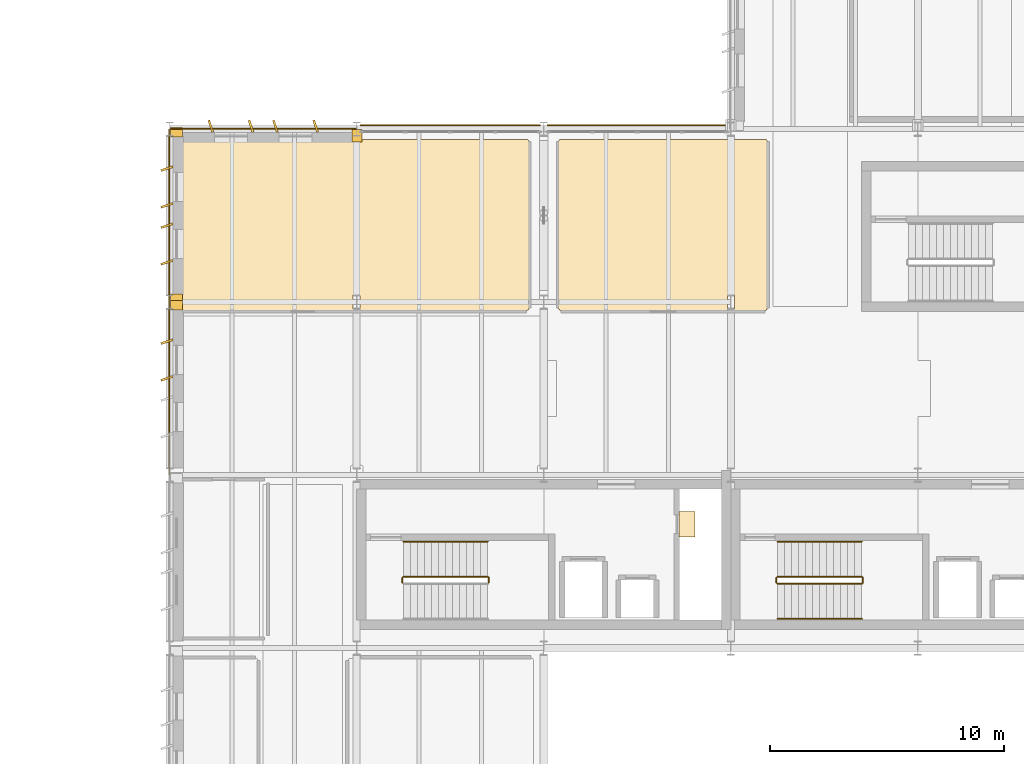
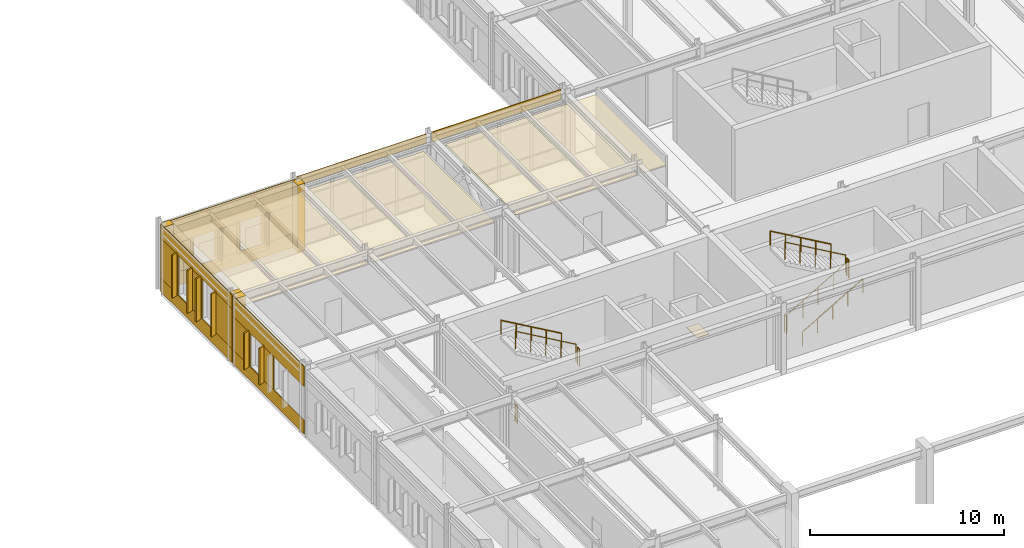
# One storey, part 57 of 75: 33 coverings, 10 railings.
"""IFC4 building model written with IfcOpenShell, lengths in metres."""

from ifc_helpers import new_model, si_unit, direction, frame, frame_2d, origin, origin_2d, place, context, subcontext, project, spatial, polyline, rectangle, circle, outline, extrude, material, layer, layer_set, type_object, element, save


model = new_model("IFC4")

# Units and contexts
model_context = context("Model", 3, precision=1e-05, world=origin(), true_north=direction((0.0, 1.0)))
body_context = subcontext(model_context, "Body", "Model", "MODEL_VIEW")
ifc_project = project(units=[si_unit("LENGTHUNIT", "METRE"), si_unit("AREAUNIT", "SQUARE_METRE"), si_unit("VOLUMEUNIT", "CUBIC_METRE"), si_unit("PLANEANGLEUNIT", "RADIAN"), si_unit("MASSUNIT", "GRAM", prefix="KILO")], contexts=[model_context])

# Site, building, storey
site_placement = place(None, origin())
site = spatial("IfcSite", under=ifc_project, at=site_placement, CompositionType="ELEMENT")
building_placement = place(site_placement, origin())
building = spatial("IfcBuilding", under=site, at=building_placement, Name="Valkorina Park Police Headquarters", CompositionType="ELEMENT")
storey_placement = place(building_placement, frame((0.0, 0.0, 5.39990234375)))
storey = spatial("IfcBuildingStorey", under=building, at=storey_placement, Name="L02", CompositionType="ELEMENT", Elevation=5.39990234375)

# Coverings
ifc_material_1 = material(Name="Acoustic mineral board")
ifc_layer_1 = layer(ifc_material_1, 0.02490234375)
ifc_layer_set_1 = layer_set([ifc_layer_1], Name="Acoustic mineral board")
covering_type_1 = type_object("IfcCoveringType", Name="COV-CEILING-ACOUST", PredefinedType="CEILING", material=ifc_layer_set_1)
covering_1_placement = place(storey_placement, frame((0.0, 0.0, 3.6650390625)))
element("IfcCovering", 1, at=covering_1_placement, inside=storey, type_object=covering_type_1, Name="Patrol Shift Sergeants Office Acoustic Suspended Ceiling", PredefinedType="CEILING", context=body_context, shape_type="SweptSolid", body=[
    extrude(outline(polyline([(24.158447265625, 51.50439453125), (24.15966796875, 51.51220703125), (24.159912109375, 51.52001953125), (24.159912109375, 58.679931640625), (24.15966796875, 58.687744140625), (24.158447265625, 58.695556640625), (24.156494140625, 58.703125), (24.15380859375, 58.710693359375), (24.150634765625, 58.7177734375), (24.146484375, 58.724365234375), (24.141845703125, 58.730712890625), (24.13671875, 58.736572265625), (24.130859375, 58.74169921875), (24.12451171875, 58.74658203125), (24.11767578125, 58.75048828125), (24.110595703125, 58.75390625), (24.103271484375, 58.756591796875), (24.095703125, 58.758544921875), (24.087890625, 58.759521484375), (24.080078125, 58.760009765625), (9.320068359375, 58.760009765625), (9.312255859375, 58.759521484375), (9.304443359375, 58.758544921875), (9.296875, 58.756591796875), (9.289306640625, 58.75390625), (9.2822265625, 58.75048828125), (9.275634765625, 58.74658203125), (9.269287109375, 58.74169921875), (9.263427734375, 58.736572265625), (9.25830078125, 58.730712890625), (9.25341796875, 58.724365234375), (9.24951171875, 58.7177734375), (9.24609375, 58.710693359375), (9.243408203125, 58.703125), (9.241455078125, 58.695556640625), (9.240478515625, 58.687744140625), (9.239990234375, 58.679931640625), (9.239990234375, 51.52001953125), (9.240478515625, 51.51220703125), (9.241455078125, 51.50439453125), (9.243408203125, 51.496826171875), (9.24609375, 51.489501953125), (9.24951171875, 51.482421875), (9.25341796875, 51.4755859375), (9.25830078125, 51.46923828125), (9.263427734375, 51.46337890625), (9.269287109375, 51.458251953125), (9.275634765625, 51.45361328125), (9.2822265625, 51.449462890625), (9.289306640625, 51.446044921875), (9.296875, 51.443359375), (9.304443359375, 51.44140625), (9.312255859375, 51.4404296875), (9.320068359375, 51.43994140625), (16.610107421875, 51.43994140625), (16.617919921875, 51.4404296875), (16.62548828125, 51.44140625), (16.63330078125, 51.443359375), (16.640625, 51.446044921875), (16.647705078125, 51.449462890625), (16.654296875, 51.45361328125), (16.660888671875, 51.458251953125), (16.66650390625, 51.46337890625), (16.671875, 51.46923828125), (16.676513671875, 51.4755859375), (16.6806640625, 51.482421875), (16.683837890625, 51.489501953125), (16.6865234375, 51.496826171875), (16.6875, 51.5), (16.64990234375, 51.5), (16.64990234375, 52.10009765625), (16.949951171875, 52.10009765625), (16.949951171875, 51.5), (16.91259765625, 51.5), (16.913330078125, 51.496826171875), (16.916015625, 51.489501953125), (16.91943359375, 51.482421875), (16.923583984375, 51.4755859375), (16.92822265625, 51.46923828125), (16.933349609375, 51.46337890625), (16.939208984375, 51.458251953125), (16.945556640625, 51.45361328125), (16.952392578125, 51.449462890625), (16.95947265625, 51.446044921875), (16.966796875, 51.443359375), (16.974365234375, 51.44140625), (16.982177734375, 51.4404296875), (16.989990234375, 51.43994140625), (24.080078125, 51.43994140625), (24.087890625, 51.4404296875), (24.095703125, 51.44140625), (24.103271484375, 51.443359375), (24.110595703125, 51.446044921875), (24.11767578125, 51.449462890625), (24.12451171875, 51.45361328125), (24.130859375, 51.458251953125), (24.13671875, 51.46337890625), (24.141845703125, 51.46923828125), (24.146484375, 51.4755859375), (24.150634765625, 51.482421875), (24.15380859375, 51.489501953125), (24.156494140625, 51.496826171875), (24.158447265625, 51.50439453125)])), origin(), (0.0, 0.0, 1.0), 0.025146484375),
])
covering_2_placement = place(storey_placement, frame((0.0, 0.0, 3.655029296875)))
element("IfcCovering", 2, at=covering_2_placement, inside=storey, type_object=covering_type_1, Name="Traffic Enforcement Operations Room Acoustic Suspended Ceiling", PredefinedType="CEILING", context=body_context, shape_type="SweptSolid", body=[
    extrude(outline(polyline([(34.3583984375, 51.50439453125), (34.359619140625, 51.51220703125), (34.360107421875, 51.52001953125), (34.360107421875, 58.679931640625), (34.359619140625, 58.687744140625), (34.3583984375, 58.695556640625), (34.356689453125, 58.703125), (34.35400390625, 58.710693359375), (34.3505859375, 58.7177734375), (34.346435546875, 58.724365234375), (34.341796875, 58.730712890625), (34.336669921875, 58.736572265625), (34.330810546875, 58.74169921875), (34.324462890625, 58.74658203125), (34.317626953125, 58.75048828125), (34.310546875, 58.75390625), (34.30322265625, 58.756591796875), (34.295654296875, 58.758544921875), (34.287841796875, 58.759521484375), (34.280029296875, 58.760009765625), (25.52001953125, 58.760009765625), (25.51220703125, 58.759521484375), (25.50439453125, 58.758544921875), (25.496826171875, 58.756591796875), (25.489501953125, 58.75390625), (25.482421875, 58.75048828125), (25.4755859375, 58.74658203125), (25.46923828125, 58.74169921875), (25.46337890625, 58.736572265625), (25.458251953125, 58.730712890625), (25.45361328125, 58.724365234375), (25.449462890625, 58.7177734375), (25.446044921875, 58.710693359375), (25.443359375, 58.703125), (25.44140625, 58.695556640625), (25.4404296875, 58.687744140625), (25.43994140625, 58.679931640625), (25.43994140625, 51.52001953125), (25.4404296875, 51.51220703125), (25.44140625, 51.50439453125), (25.443359375, 51.496826171875), (25.446044921875, 51.489501953125), (25.449462890625, 51.482421875), (25.45361328125, 51.4755859375), (25.458251953125, 51.46923828125), (25.46337890625, 51.46337890625), (25.46923828125, 51.458251953125), (25.4755859375, 51.45361328125), (25.482421875, 51.449462890625), (25.489501953125, 51.446044921875), (25.496826171875, 51.443359375), (25.50439453125, 51.44140625), (25.51220703125, 51.4404296875), (25.52001953125, 51.43994140625), (32.610107421875, 51.43994140625), (32.617919921875, 51.4404296875), (32.62548828125, 51.44140625), (32.63330078125, 51.443359375), (32.640625, 51.446044921875), (32.647705078125, 51.449462890625), (32.654296875, 51.45361328125), (32.660888671875, 51.458251953125), (32.66650390625, 51.46337890625), (32.671875, 51.46923828125), (32.676513671875, 51.4755859375), (32.6806640625, 51.482421875), (32.683837890625, 51.489501953125), (32.6865234375, 51.496826171875), (32.6875, 51.5), (32.64990234375, 51.5), (32.64990234375, 52.10009765625), (32.949951171875, 52.10009765625), (32.949951171875, 51.5), (32.91259765625, 51.5), (32.913330078125, 51.496826171875), (32.916015625, 51.489501953125), (32.91943359375, 51.482421875), (32.923583984375, 51.4755859375), (32.92822265625, 51.46923828125), (32.933349609375, 51.46337890625), (32.939208984375, 51.458251953125), (32.945556640625, 51.45361328125), (32.952392578125, 51.449462890625), (32.95947265625, 51.446044921875), (32.966796875, 51.443359375), (32.974365234375, 51.44140625), (32.982177734375, 51.4404296875), (32.989990234375, 51.43994140625), (34.280029296875, 51.43994140625), (34.287841796875, 51.4404296875), (34.295654296875, 51.44140625), (34.30322265625, 51.443359375), (34.310546875, 51.446044921875), (34.317626953125, 51.449462890625), (34.324462890625, 51.45361328125), (34.330810546875, 51.458251953125), (34.336669921875, 51.46337890625), (34.341796875, 51.46923828125), (34.346435546875, 51.4755859375), (34.3505859375, 51.482421875), (34.35400390625, 51.489501953125), (34.356689453125, 51.496826171875), (34.3583984375, 51.50439453125)])), origin(), (0.0, 0.0, 1.0), 0.025146484375),
])
ifc_material_2 = material(Name="Precast concrete C40/50", Category="concrete")
ifc_layer_2 = layer(ifc_material_2, 0.044921875)
ifc_layer_set_2 = layer_set([ifc_layer_2], Name="Precast concrete C40/50")
covering_type_2 = type_object("IfcCoveringType", Name="COV-CLAD-DOLOMITE", PredefinedType="CLADDING", material=ifc_layer_set_2)
covering_3_placement = place(storey_placement, frame((9.090087890625, 51.659912109375, 0.0), z_axis=(0.0, 0.0, 1.0), x_axis=(0.0, 1.0, 0.0)))
element("IfcCovering", 3, at=covering_3_placement, inside=storey, type_object=covering_type_2, Name="L02 Exterior Joint Closure Pilaster B 0980", PredefinedType="CLADDING", context=body_context, shape_type="SweptSolid", body=[
    extrude(rectangle(XDim=0.419921875, YDim=0.52197265625, at=origin_2d()), origin(), (0.0, 0.0, 1.0), 4.239990234375),
])
for number, where, z_axis, x_axis, name in (
    (4, (8.679931640625, 48.535400390625, 0.780029296875), (0.0, 0.0, 1.0), (-0.948323655206, -0.317304656405, 0.0), "Slanted 18.5-deg Precast Window Slot Fin 0983"),
    (5, (8.679931640625, 50.10546875, 0.780029296875), (0.0, 0.0, 1.0), (-0.948323655206, -0.317304656405, 0.0), "Slanted 18.5-deg Precast Window Slot Fin 0984"),
):
    element("IfcCovering", number, at=place(storey_placement, frame(where, z_axis=z_axis, x_axis=x_axis)), inside=storey, type_object=covering_type_2, Name=name, PredefinedType="CLADDING", context=body_context, shape_type="SweptSolid", body=[
        extrude(rectangle(XDim=0.5400390625, YDim=0.090087890625, at=origin_2d()), origin(), (0.0, 0.0, 1.0), 2.2900390625),
    ])
covering_4_placement = place(storey_placement, frame((8.784912109375, 44.419921875, 0.0), z_axis=(0.0, 0.0, 1.0), x_axis=(0.0, 1.0, 0.0)))
element("IfcCovering", 6, at=covering_4_placement, inside=storey, type_object=covering_type_2, Name="L02 Calm Concrete Base Sill Spandrel 0985", PredefinedType="CLADDING", context=body_context, shape_type="SweptSolid", body=[
    extrude(rectangle(XDim=7.360107421875, YDim=0.044921875, at=frame_2d((3.68017578125, 0.0))), origin(), (0.0, 0.0, 1.0), 0.8701171875),
])
covering_5_placement = place(storey_placement, frame((8.784912109375, 44.419921875, 2.97998046875), z_axis=(0.0, 0.0, 1.0), x_axis=(0.0, 1.0, 0.0)))
element("IfcCovering", 7, at=covering_5_placement, inside=storey, type_object=covering_type_2, Name="L02 Calm Concrete Base Lintel Spandrel 0986", PredefinedType="CLADDING", context=body_context, shape_type="SweptSolid", body=[
    extrude(rectangle(XDim=7.360107421875, YDim=0.044921875, at=frame_2d((3.68017578125, 0.0))), origin(), (0.0, 0.0, 1.0), 1.260009765625),
])
covering_6_placement = place(storey_placement, frame((8.784912109375, 47.5546875, 0.8701171875), z_axis=(0.0, 0.0, 1.0), x_axis=(0.0, 1.0, 0.0)))
element("IfcCovering", 8, at=covering_6_placement, inside=storey, type_object=covering_type_2, Name="L02 Calm Concrete Base Slot Pier 0988", PredefinedType="CLADDING", context=body_context, shape_type="SweptSolid", body=[
    extrude(rectangle(XDim=1.0908203125, YDim=0.044921875, at=frame_2d((0.54541015625, 0.0))), origin(), (0.0, 0.0, 1.0), 2.10986328125),
])
covering_7_placement = place(storey_placement, frame((8.784912109375, 49.995361328125, 0.8701171875), z_axis=(0.0, 0.0, 1.0), x_axis=(0.0, 1.0, 0.0)))
element("IfcCovering", 9, at=covering_7_placement, inside=storey, type_object=covering_type_2, Name="L02 Calm Concrete Base Slot Pier 0989", PredefinedType="CLADDING", context=body_context, shape_type="SweptSolid", body=[
    extrude(rectangle(XDim=1.78466796875, YDim=0.044921875, at=frame_2d((0.892333984375, 0.0))), origin(), (0.0, 0.0, 1.0), 2.10986328125),
])
for number, where, z_axis, x_axis, name in (
    (10, (9.090087890625, 51.93994140625, 0.0), (0.0, 0.0, 1.0), (0.0, 1.0, 0.0), "L02 Exterior Joint Closure Pilaster A 0990"),
    (11, (9.090087890625, 59.06005859375, 0.0), (0.0, 0.0, 1.0), (0.0, 1.0, 0.0), "L02 Exterior Joint Closure Pilaster B 0991"),
):
    element("IfcCovering", number, at=place(storey_placement, frame(where, z_axis=z_axis, x_axis=x_axis)), inside=storey, type_object=covering_type_2, Name=name, PredefinedType="CLADDING", context=body_context, shape_type="SweptSolid", body=[
        extrude(rectangle(XDim=0.419921875, YDim=0.52197265625, at=origin_2d()), origin(), (0.0, 0.0, 1.0), 4.239990234375),
    ])
for number, where, z_axis, x_axis, name in (
    (12, (8.679931640625, 53.49462890625, 0.780029296875), (0.0, 0.0, 1.0), (-0.948323655206, -0.317304656405, 0.0), "Slanted 18.5-deg Precast Window Slot Fin 0992"),
    (13, (8.679931640625, 55.064697265625, 0.780029296875), (0.0, 0.0, 1.0), (-0.948323655206, -0.317304656405, 0.0), "Slanted 18.5-deg Precast Window Slot Fin 0993"),
    (14, (8.679931640625, 55.935302734375, 0.780029296875), (0.0, 0.0, 1.0), (-0.948323655206, -0.317304656405, 0.0), "Slanted 18.5-deg Precast Window Slot Fin 0994"),
    (15, (8.679931640625, 57.50537109375, 0.780029296875), (0.0, 0.0, 1.0), (-0.948323655206, -0.317304656405, 0.0), "Slanted 18.5-deg Precast Window Slot Fin 0995"),
):
    element("IfcCovering", number, at=place(storey_placement, frame(where, z_axis=z_axis, x_axis=x_axis)), inside=storey, type_object=covering_type_2, Name=name, PredefinedType="CLADDING", context=body_context, shape_type="SweptSolid", body=[
        extrude(rectangle(XDim=0.5400390625, YDim=0.090087890625, at=origin_2d()), origin(), (0.0, 0.0, 1.0), 2.68994140625),
    ])
covering_8_placement = place(storey_placement, frame((8.784912109375, 51.820068359375, 0.0), z_axis=(0.0, 0.0, 1.0), x_axis=(0.0, 1.0, 0.0)))
element("IfcCovering", 16, at=covering_8_placement, inside=storey, type_object=covering_type_2, Name="L02 Calm Concrete Base Sill Spandrel 0996", PredefinedType="CLADDING", context=body_context, shape_type="SweptSolid", body=[
    extrude(rectangle(XDim=7.35986328125, YDim=0.044921875, at=frame_2d((3.679931640625, 0.0))), origin(), (0.0, 0.0, 1.0), 0.8701171875),
])
covering_9_placement = place(storey_placement, frame((8.784912109375, 51.820068359375, 3.380126953125), z_axis=(0.0, 0.0, 1.0), x_axis=(0.0, 1.0, 0.0)))
element("IfcCovering", 17, at=covering_9_placement, inside=storey, type_object=covering_type_2, Name="L02 Calm Concrete Base Lintel Spandrel 0997", PredefinedType="CLADDING", context=body_context, shape_type="SweptSolid", body=[
    extrude(rectangle(XDim=7.35986328125, YDim=0.044921875, at=frame_2d((3.679931640625, 0.0))), origin(), (0.0, 0.0, 1.0), 0.85986328125),
])
covering_10_placement = place(storey_placement, frame((8.784912109375, 51.820068359375, 0.8701171875), z_axis=(0.0, 0.0, 1.0), x_axis=(0.0, 1.0, 0.0)))
element("IfcCovering", 18, at=covering_10_placement, inside=storey, type_object=covering_type_2, Name="L02 Calm Concrete Base Slot Pier 0998", PredefinedType="CLADDING", context=body_context, shape_type="SweptSolid", body=[
    extrude(rectangle(XDim=1.784423828125, YDim=0.044921875, at=frame_2d((0.89208984375, 0.0))), origin(), (0.0, 0.0, 1.0), 2.510009765625),
])
covering_11_placement = place(storey_placement, frame((8.784912109375, 54.95458984375, 0.8701171875), z_axis=(0.0, 0.0, 1.0), x_axis=(0.0, 1.0, 0.0)))
element("IfcCovering", 19, at=covering_11_placement, inside=storey, type_object=covering_type_2, Name="L02 Calm Concrete Base Slot Pier 0999", PredefinedType="CLADDING", context=body_context, shape_type="SweptSolid", body=[
    extrude(rectangle(XDim=1.0908203125, YDim=0.044921875, at=frame_2d((0.54541015625, 0.0))), origin(), (0.0, 0.0, 1.0), 2.510009765625),
])
covering_12_placement = place(storey_placement, frame((8.784912109375, 57.3955078125, 0.8701171875), z_axis=(0.0, 0.0, 1.0), x_axis=(0.0, 1.0, 0.0)))
element("IfcCovering", 20, at=covering_12_placement, inside=storey, type_object=covering_type_2, Name="L02 Calm Concrete Base Slot Pier 1000", PredefinedType="CLADDING", context=body_context, shape_type="SweptSolid", body=[
    extrude(rectangle(XDim=1.784423828125, YDim=0.044921875, at=frame_2d((0.89208984375, 0.0))), origin(), (0.0, 0.0, 1.0), 2.510009765625),
])
covering_13_placement = place(storey_placement, frame((16.81005859375, 58.909912109375, 0.0), z_axis=(0.0, 0.0, 1.0), x_axis=(1.0, 0.0, 0.0)))
element("IfcCovering", 21, at=covering_13_placement, inside=storey, type_object=covering_type_2, Name="L02 Exterior Joint Closure Pilaster B 1001", PredefinedType="CLADDING", context=body_context, shape_type="SweptSolid", body=[
    extrude(rectangle(XDim=0.419921875, YDim=0.52197265625, at=origin_2d()), origin(), (0.0, 0.0, 1.0), 4.239990234375),
])
for number, where, z_axis, x_axis, name in (
    (22, (10.5576171875, 59.320068359375, 0.7802734375), (0.0, 0.0, 1.0), (-0.317304656405, 0.948323655206, 0.0), "Slanted 18.5-deg Precast Window Slot Fin 1002"),
    (23, (12.277587890625, 59.320068359375, 0.7802734375), (0.0, 0.0, 1.0), (-0.317304656405, 0.948323655206, 0.0), "Slanted 18.5-deg Precast Window Slot Fin 1003"),
    (24, (13.322509765625, 59.320068359375, 0.7802734375), (0.0, 0.0, 1.0), (-0.317304656405, 0.948323655206, 0.0), "Slanted 18.5-deg Precast Window Slot Fin 1004"),
    (25, (15.04248046875, 59.320068359375, 0.7802734375), (0.0, 0.0, 1.0), (-0.317304656405, 0.948323655206, 0.0), "Slanted 18.5-deg Precast Window Slot Fin 1005"),
):
    element("IfcCovering", number, at=place(storey_placement, frame(where, z_axis=z_axis, x_axis=x_axis)), inside=storey, type_object=covering_type_2, Name=name, PredefinedType="CLADDING", context=body_context, shape_type="SweptSolid", body=[
        extrude(rectangle(XDim=0.5400390625, YDim=0.090087890625, at=origin_2d()), origin(), (0.0, 0.0, 1.0), 1.989990234375),
    ])
covering_14_placement = place(storey_placement, frame((8.820068359375, 59.215087890625, 0.0), z_axis=(0.0, 0.0, 1.0), x_axis=(1.0, 0.0, 0.0)))
element("IfcCovering", 26, at=covering_14_placement, inside=storey, type_object=covering_type_2, Name="L02 Calm Concrete Base Sill Spandrel 1006", PredefinedType="CLADDING", context=body_context, shape_type="SweptSolid", body=[
    extrude(rectangle(XDim=7.9599609375, YDim=0.044921875, at=frame_2d((3.97998046875, 0.0))), origin(), (0.0, 0.0, 1.0), 0.8701171875),
])
covering_15_placement = place(storey_placement, frame((8.820068359375, 59.215087890625, 2.68017578125), z_axis=(0.0, 0.0, 1.0), x_axis=(1.0, 0.0, 0.0)))
element("IfcCovering", 27, at=covering_15_placement, inside=storey, type_object=covering_type_2, Name="L02 Calm Concrete Base Lintel Spandrel 1007", PredefinedType="CLADDING", context=body_context, shape_type="SweptSolid", body=[
    extrude(rectangle(XDim=7.9599609375, YDim=0.044921875, at=frame_2d((3.97998046875, 0.0))), origin(), (0.0, 0.0, 1.0), 1.559814453125),
])
covering_16_placement = place(storey_placement, frame((8.820068359375, 59.215087890625, 0.8701171875), z_axis=(0.0, 0.0, 1.0), x_axis=(1.0, 0.0, 0.0)))
element("IfcCovering", 28, at=covering_16_placement, inside=storey, type_object=covering_type_2, Name="L02 Calm Concrete Base Slot Pier 1008", PredefinedType="CLADDING", context=body_context, shape_type="SweptSolid", body=[
    extrude(rectangle(XDim=1.847412109375, YDim=0.044921875, at=frame_2d((0.923828125, 0.0))), origin(), (0.0, 0.0, 1.0), 1.81005859375),
])
covering_17_placement = place(storey_placement, frame((12.16748046875, 59.215087890625, 0.8701171875), z_axis=(0.0, 0.0, 1.0), x_axis=(1.0, 0.0, 0.0)))
element("IfcCovering", 29, at=covering_17_placement, inside=storey, type_object=covering_type_2, Name="L02 Calm Concrete Base Slot Pier 1009", PredefinedType="CLADDING", context=body_context, shape_type="SweptSolid", body=[
    extrude(rectangle(XDim=1.264892578125, YDim=0.044921875, at=frame_2d((0.63232421875, 0.0))), origin(), (0.0, 0.0, 1.0), 1.81005859375),
])
covering_18_placement = place(storey_placement, frame((14.932373046875, 59.215087890625, 0.8701171875), z_axis=(0.0, 0.0, 1.0), x_axis=(1.0, 0.0, 0.0)))
element("IfcCovering", 30, at=covering_18_placement, inside=storey, type_object=covering_type_2, Name="L02 Calm Concrete Base Slot Pier 1010", PredefinedType="CLADDING", context=body_context, shape_type="SweptSolid", body=[
    extrude(rectangle(XDim=1.84765625, YDim=0.044921875, at=frame_2d((0.923828125, 0.0))), origin(), (0.0, 0.0, 1.0), 1.81005859375),
])
covering_19_placement = place(storey_placement, frame((16.9599609375, 59.360107421875, 3.670166015625), z_axis=(0.0, 0.0, 1.0), x_axis=(1.0, 0.0, 0.0)))
element("IfcCovering", 31, at=covering_19_placement, inside=storey, type_object=covering_type_2, Name="L02 Spandrel Beam Insulated Fascia 1011", PredefinedType="CLADDING", context=body_context, shape_type="SweptSolid", body=[
    extrude(rectangle(XDim=7.679931640625, YDim=0.044921875, at=frame_2d((3.83984375, 0.0))), origin(), (0.0, 0.0, 1.0), 0.56982421875),
])
covering_20_placement = place(storey_placement, frame((24.9599609375, 59.360107421875, 3.610107421875), z_axis=(0.0, 0.0, 1.0), x_axis=(1.0, 0.0, 0.0)))
element("IfcCovering", 32, at=covering_20_placement, inside=storey, type_object=covering_type_2, Name="L02 Spandrel Beam Insulated Fascia 1012", PredefinedType="CLADDING", context=body_context, shape_type="SweptSolid", body=[
    extrude(rectangle(XDim=7.679931640625, YDim=0.044921875, at=frame_2d((3.83984375, 0.0))), origin(), (0.0, 0.0, 1.0), 0.6298828125),
])
ifc_material_3 = material(Name="Resin terrazzo flooring")
ifc_layer_3 = layer(ifc_material_3, 0.030029296875)
ifc_layer_set_3 = layer_set([ifc_layer_3], Name="Resin terrazzo flooring")
covering_type_3 = type_object("IfcCoveringType", Name="COV-FLOOR-TERRAZZO", PredefinedType="FLOORING", material=ifc_layer_set_3)
covering_21_placement = place(storey_placement, origin())
element("IfcCovering", 33, at=covering_21_placement, inside=storey, type_object=covering_type_3, Name="Core C1 L02 Riser Inspection Threshold Grate", PredefinedType="FLOORING", context=body_context, shape_type="SweptSolid", body=[
    extrude(outline(polyline([(31.280029296875, 41.75), (31.280029296875, 42.85009765625), (30.580078125, 42.85009765625), (30.580078125, 41.75), (31.280029296875, 41.75)])), origin(), (0.0, 0.0, 1.0), 0.030029296875),
])

# Railings
ifc_material_4 = material(Name="Stainless steel EN 1.4404", Category="steel")
railing_type_1 = type_object("IfcRailingType", Name="RL-GUARD-INT-1100", PredefinedType="BALUSTRADE", material=ifc_material_4)
railing_1_placement = place(storey_placement, frame((22.449951171875, 39.800048828125, 2.25)))
element("IfcRailing", 34, at=railing_1_placement, inside=storey, type_object=railing_type_1, Name="L02 Core C1 Stair Guard 2", PredefinedType="BALUSTRADE", context=body_context, shape_type="SweptSolid", body=[
    extrude(circle(Radius=0.02392578125, at=origin_2d()), frame((0.0, 0.0, 1.09619140625), z_axis=(0.0, 1.0, 0.0), x_axis=(-1.0, 0.0, 0.0)), (0.0, 0.0, 1.0), 0.199951171875),
    extrude(circle(Radius=0.02099609375, at=origin_2d()), origin(), (0.0, 0.0, 1.0), 1.072021484375),
    extrude(circle(Radius=0.02099609375, at=origin_2d()), frame((0.0, 0.199951171875, 0.0)), (0.0, 0.0, 1.0), 1.072021484375),
])
railing_2_placement = place(storey_placement, frame((22.39990234375, 40.050048828125, 2.423095703125)))
element("IfcRailing", 35, at=railing_2_placement, inside=storey, type_object=railing_type_1, Name="L02 Core C1 Stair Guard 3", PredefinedType="BALUSTRADE", context=body_context, shape_type="SweptSolid", body=[
    extrude(circle(Radius=0.02392578125, at=origin_2d()), frame((0.0, 0.0, 1.09619140625), z_axis=(-0.866178740119, 0.0, 0.499734319579), x_axis=(0.0, -1.0, 0.0)), (0.0, 0.0, 1.0), 4.156005859375),
    extrude(circle(Radius=0.02099609375, at=origin_2d()), origin(), (0.0, 0.0, 1.0), 1.072021484375),
    extrude(circle(Radius=0.02099609375, at=origin_2d()), frame((-0.89990234375, 0.0, 0.519287109375)), (0.0, 0.0, 1.0), 1.072021484375),
    extrude(circle(Radius=0.02099609375, at=origin_2d()), frame((-1.7998046875, 0.0, 1.03857421875)), (0.0, 0.0, 1.0), 1.072021484375),
    extrude(circle(Radius=0.02099609375, at=origin_2d()), frame((-2.699951171875, 0.0, 1.5576171875)), (0.0, 0.0, 1.0), 1.072021484375),
    extrude(circle(Radius=0.02099609375, at=origin_2d()), frame((-3.599853515625, 0.0, 2.076904296875)), (0.0, 0.0, 1.0), 1.072021484375),
])
railing_3_placement = place(storey_placement, frame((18.75, 39.800048828125, 0.0)))
element("IfcRailing", 36, at=railing_3_placement, inside=storey, type_object=railing_type_1, Name="L02 Core C1 Stair Guard 4", PredefinedType="BALUSTRADE", context=body_context, shape_type="SweptSolid", body=[
    extrude(circle(Radius=0.02392578125, at=origin_2d()), frame((0.0, 0.0, 1.09619140625), z_axis=(0.0, 1.0, 0.0), x_axis=(-1.0, 0.0, 0.0)), (0.0, 0.0, 1.0), 0.199951171875),
    extrude(circle(Radius=0.02099609375, at=origin_2d()), origin(), (0.0, 0.0, 1.0), 1.072021484375),
    extrude(circle(Radius=0.02099609375, at=origin_2d()), frame((0.0, 0.199951171875, 0.0)), (0.0, 0.0, 1.0), 1.072021484375),
])
railing_4_placement = place(storey_placement, frame((34.800048828125, 39.75, 0.173095703125)))
element("IfcRailing", 37, at=railing_4_placement, inside=storey, type_object=railing_type_1, Name="L02 Core C2 Stair Guard 1", PredefinedType="BALUSTRADE", context=body_context, shape_type="SweptSolid", body=[
    extrude(circle(Radius=0.02392578125, at=origin_2d()), frame((0.0, 0.0, 1.09619140625), z_axis=(0.866178740119, 0.0, 0.499734319579), x_axis=(0.0, 1.0, 0.0)), (0.0, 0.0, 1.0), 4.156005859375),
    extrude(circle(Radius=0.02099609375, at=origin_2d()), origin(), (0.0, 0.0, 1.0), 1.072021484375),
    extrude(circle(Radius=0.02099609375, at=origin_2d()), frame((0.89990234375, 0.0, 0.519287109375)), (0.0, 0.0, 1.0), 1.072021484375),
    extrude(circle(Radius=0.02099609375, at=origin_2d()), frame((1.7998046875, 0.0, 1.03857421875)), (0.0, 0.0, 1.0), 1.072021484375),
    extrude(circle(Radius=0.02099609375, at=origin_2d()), frame((2.699951171875, 0.0, 1.5576171875)), (0.0, 0.0, 1.0), 1.072021484375),
    extrude(circle(Radius=0.02099609375, at=origin_2d()), frame((3.599853515625, 0.0, 2.076904296875)), (0.0, 0.0, 1.0), 1.072021484375),
])
railing_5_placement = place(storey_placement, frame((38.449951171875, 39.800048828125, 2.25)))
element("IfcRailing", 38, at=railing_5_placement, inside=storey, type_object=railing_type_1, Name="L02 Core C2 Stair Guard 2", PredefinedType="BALUSTRADE", context=body_context, shape_type="SweptSolid", body=[
    extrude(circle(Radius=0.02392578125, at=origin_2d()), frame((0.0, 0.0, 1.09619140625), z_axis=(0.0, 1.0, 0.0), x_axis=(-1.0, 0.0, 0.0)), (0.0, 0.0, 1.0), 0.199951171875),
    extrude(circle(Radius=0.02099609375, at=origin_2d()), origin(), (0.0, 0.0, 1.0), 1.072021484375),
    extrude(circle(Radius=0.02099609375, at=origin_2d()), frame((0.0, 0.199951171875, 0.0)), (0.0, 0.0, 1.0), 1.072021484375),
])
railing_6_placement = place(storey_placement, frame((38.39990234375, 40.050048828125, 2.423095703125)))
element("IfcRailing", 39, at=railing_6_placement, inside=storey, type_object=railing_type_1, Name="L02 Core C2 Stair Guard 3", PredefinedType="BALUSTRADE", context=body_context, shape_type="SweptSolid", body=[
    extrude(circle(Radius=0.02392578125, at=origin_2d()), frame((0.0, 0.0, 1.09619140625), z_axis=(-0.866178740119, 0.0, 0.499734319579), x_axis=(0.0, -1.0, 0.0)), (0.0, 0.0, 1.0), 4.156005859375),
    extrude(circle(Radius=0.02099609375, at=origin_2d()), origin(), (0.0, 0.0, 1.0), 1.072021484375),
    extrude(circle(Radius=0.02099609375, at=origin_2d()), frame((-0.89990234375, 0.0, 0.519287109375)), (0.0, 0.0, 1.0), 1.072021484375),
    extrude(circle(Radius=0.02099609375, at=origin_2d()), frame((-1.7998046875, 0.0, 1.03857421875)), (0.0, 0.0, 1.0), 1.072021484375),
    extrude(circle(Radius=0.02099609375, at=origin_2d()), frame((-2.699951171875, 0.0, 1.5576171875)), (0.0, 0.0, 1.0), 1.072021484375),
    extrude(circle(Radius=0.02099609375, at=origin_2d()), frame((-3.599853515625, 0.0, 2.076904296875)), (0.0, 0.0, 1.0), 1.072021484375),
])
railing_7_placement = place(storey_placement, frame((34.75, 39.800048828125, 0.0)))
element("IfcRailing", 40, at=railing_7_placement, inside=storey, type_object=railing_type_1, Name="L02 Core C2 Stair Guard 4", PredefinedType="BALUSTRADE", context=body_context, shape_type="SweptSolid", body=[
    extrude(circle(Radius=0.02392578125, at=origin_2d()), frame((0.0, 0.0, 1.09619140625), z_axis=(0.0, 1.0, 0.0), x_axis=(-1.0, 0.0, 0.0)), (0.0, 0.0, 1.0), 0.199951171875),
    extrude(circle(Radius=0.02099609375, at=origin_2d()), origin(), (0.0, 0.0, 1.0), 1.072021484375),
    extrude(circle(Radius=0.02099609375, at=origin_2d()), frame((0.0, 0.199951171875, 0.0)), (0.0, 0.0, 1.0), 1.072021484375),
])
railing_type_2 = type_object("IfcRailingType", Name="RL-HANDRAIL-900", PredefinedType="HANDRAIL", material=ifc_material_4)
railing_8_placement = place(storey_placement, frame((22.39990234375, 41.550048828125, 2.423095703125)))
element("IfcRailing", 41, at=railing_8_placement, inside=storey, type_object=railing_type_2, Name="L02 Core C1 Stair Handrail 2", PredefinedType="HANDRAIL", context=body_context, shape_type="SweptSolid", body=[
    extrude(circle(Radius=0.02392578125, at=origin_2d()), frame((0.0, 0.0, 0.8759765625), z_axis=(-0.866178740119, 0.0, 0.499734319579), x_axis=(0.0, -1.0, 0.0)), (0.0, 0.0, 1.0), 4.156005859375),
    extrude(circle(Radius=0.02099609375, at=origin_2d()), origin(), (0.0, 0.0, 1.0), 0.851806640625),
    extrude(circle(Radius=0.02099609375, at=origin_2d()), frame((-0.89990234375, 0.0, 0.519287109375)), (0.0, 0.0, 1.0), 0.851806640625),
    extrude(circle(Radius=0.02099609375, at=origin_2d()), frame((-1.7998046875, 0.0, 1.03857421875)), (0.0, 0.0, 1.0), 0.851806640625),
    extrude(circle(Radius=0.02099609375, at=origin_2d()), frame((-2.699951171875, 0.0, 1.5576171875)), (0.0, 0.0, 1.0), 0.851806640625),
    extrude(circle(Radius=0.02099609375, at=origin_2d()), frame((-3.599853515625, 0.0, 2.076904296875)), (0.0, 0.0, 1.0), 0.851806640625),
])
railing_9_placement = place(storey_placement, frame((34.800048828125, 38.25, 0.173095703125)))
element("IfcRailing", 42, at=railing_9_placement, inside=storey, type_object=railing_type_2, Name="L02 Core C2 Stair Handrail 1", PredefinedType="HANDRAIL", context=body_context, shape_type="SweptSolid", body=[
    extrude(circle(Radius=0.02392578125, at=origin_2d()), frame((0.0, 0.0, 0.8759765625), z_axis=(0.866178740119, 0.0, 0.499734319579), x_axis=(0.0, 1.0, 0.0)), (0.0, 0.0, 1.0), 4.156005859375),
    extrude(circle(Radius=0.02099609375, at=origin_2d()), origin(), (0.0, 0.0, 1.0), 0.851806640625),
    extrude(circle(Radius=0.02099609375, at=origin_2d()), frame((0.89990234375, 0.0, 0.519287109375)), (0.0, 0.0, 1.0), 0.851806640625),
    extrude(circle(Radius=0.02099609375, at=origin_2d()), frame((1.7998046875, 0.0, 1.03857421875)), (0.0, 0.0, 1.0), 0.851806640625),
    extrude(circle(Radius=0.02099609375, at=origin_2d()), frame((2.699951171875, 0.0, 1.5576171875)), (0.0, 0.0, 1.0), 0.851806640625),
    extrude(circle(Radius=0.02099609375, at=origin_2d()), frame((3.599853515625, 0.0, 2.076904296875)), (0.0, 0.0, 1.0), 0.851806640625),
])
railing_10_placement = place(storey_placement, frame((38.39990234375, 41.550048828125, 2.423095703125)))
element("IfcRailing", 43, at=railing_10_placement, inside=storey, type_object=railing_type_2, Name="L02 Core C2 Stair Handrail 2", PredefinedType="HANDRAIL", context=body_context, shape_type="SweptSolid", body=[
    extrude(circle(Radius=0.02392578125, at=origin_2d()), frame((0.0, 0.0, 0.8759765625), z_axis=(-0.866178740119, 0.0, 0.499734319579), x_axis=(0.0, -1.0, 0.0)), (0.0, 0.0, 1.0), 4.156005859375),
    extrude(circle(Radius=0.02099609375, at=origin_2d()), origin(), (0.0, 0.0, 1.0), 0.851806640625),
    extrude(circle(Radius=0.02099609375, at=origin_2d()), frame((-0.89990234375, 0.0, 0.519287109375)), (0.0, 0.0, 1.0), 0.851806640625),
    extrude(circle(Radius=0.02099609375, at=origin_2d()), frame((-1.7998046875, 0.0, 1.03857421875)), (0.0, 0.0, 1.0), 0.851806640625),
    extrude(circle(Radius=0.02099609375, at=origin_2d()), frame((-2.699951171875, 0.0, 1.5576171875)), (0.0, 0.0, 1.0), 0.851806640625),
    extrude(circle(Radius=0.02099609375, at=origin_2d()), frame((-3.599853515625, 0.0, 2.076904296875)), (0.0, 0.0, 1.0), 0.851806640625),
])

save(model, "model.ifc")
